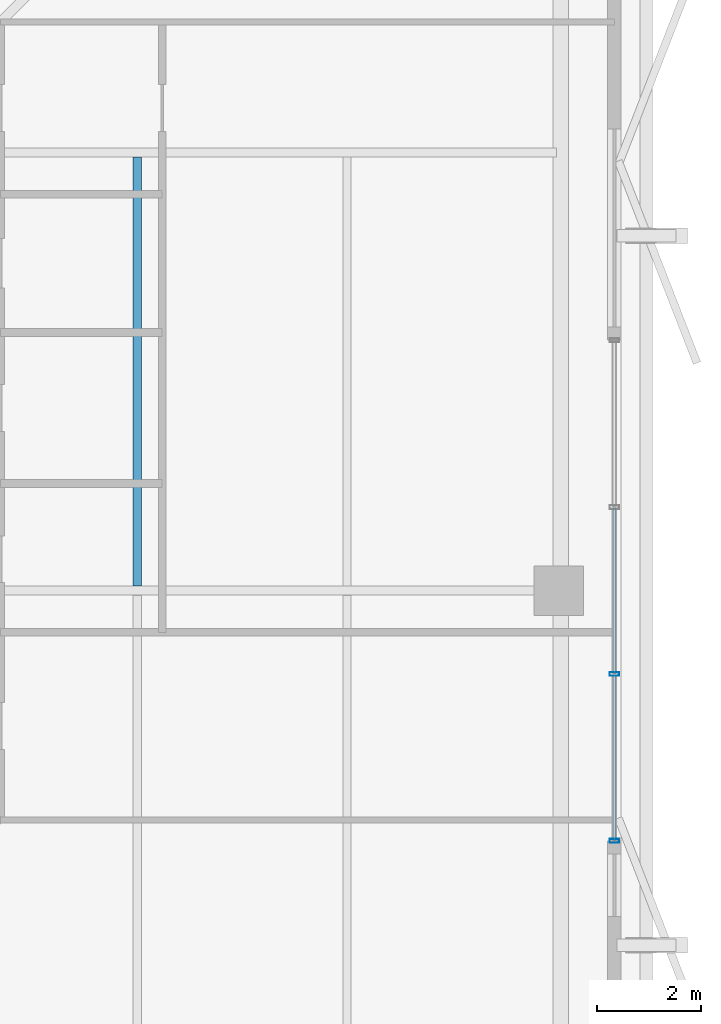
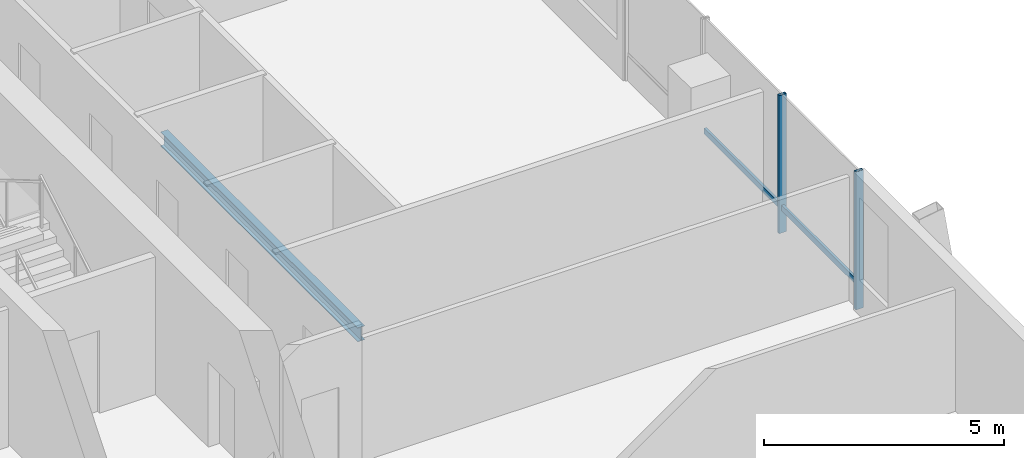
# One storey, part 11 of 26: 4 members, 1 beam, 1 element without a shape of its own.
"""IFC4 building model written with IfcOpenShell, lengths in metres."""

from ifc_helpers import new_model, si_unit, direction, frame, origin, origin_2d, place, context, subcontext, project, spatial, hollow_rectangle, i_section, extrude, material, layer, layer_set, material_profile, profile_set, type_object, element, aggregate, save


model = new_model("IFC4")

# Units and contexts
model_context = context("Model", 3, precision=1e-05, world=origin(), true_north=direction((0.0, 1.0)))
body_context = subcontext(model_context, "Body", "Model", "MODEL_VIEW")
ifc_project = project(units=[si_unit("LENGTHUNIT", "METRE"), si_unit("AREAUNIT", "SQUARE_METRE"), si_unit("VOLUMEUNIT", "CUBIC_METRE"), si_unit("PLANEANGLEUNIT", "RADIAN"), si_unit("MASSUNIT", "GRAM", prefix="KILO")], contexts=[model_context])

# Site, building, storey
site_placement = place(None, origin())
site = spatial("IfcSite", under=ifc_project, at=site_placement, CompositionType="ELEMENT")
building_placement = place(site_placement, origin())
building = spatial("IfcBuilding", under=site, at=building_placement, Name="Belovzor Exchange Tower", CompositionType="ELEMENT")
storey_placement = place(building_placement, frame((0.0, 0.0, 295.5)))
storey = spatial("IfcBuildingStorey", under=building, at=storey_placement, Name="L73", CompositionType="ELEMENT", Elevation=295.5)

# Beam
ifc_material_1 = material(Name="Steel S355", Category="steel")
ifc_material_profile_1 = material_profile(ifc_material_1, i_section(OverallWidth=0.169921875, OverallDepth=0.360107421875, WebThickness=0.008056640625, FlangeThickness=0.0126953125, at=origin_2d()))
ifc_profile_set_1 = profile_set([ifc_material_profile_1], Name="Steel S355")
beam_type = type_object("IfcBeamType", Name="Secondary Infill Floor Joist IPE 360", PredefinedType="BEAM", material=ifc_profile_set_1)
beam_placement = place(storey_placement, frame((42.322998046875, 28.889892578125, -0.419921875), z_axis=(0.0, 1.0, 0.0), x_axis=(-1.0, 0.0, 0.0)))
element("IfcBeam", 1, at=beam_placement, inside=storey, type_object=beam_type, Name="FJ-360 Secondary Infill Floor Joist IPE 360", PredefinedType="BEAM", context=body_context, shape_type="SweptSolid", body=[
    extrude(i_section(OverallWidth=0.169921875, OverallDepth=0.360107421875, WebThickness=0.008056640625, FlangeThickness=0.0126953125, at=origin_2d()), origin(), (0.0, 0.0, 1.0), 8.22021484375),
])

# Curtain wall, members
ifc_material_2 = material(Name="Anodised Aluminium Framing", Category="aluminium")
ifc_layer = layer(ifc_material_2, 0.179931640625)
ifc_layer_set = layer_set([ifc_layer], Name="Anodised Aluminium Framing")
curtain_wall_type = type_object("IfcCurtainWallType", Name="Recessed Loggia Low-Iron Triple-Glazed Curtain Wall", PredefinedType="NOTDEFINED", material=ifc_layer_set)
curtain_wall_placement = place(storey_placement, origin())
curtain_wall = element("IfcCurtainWall", 2, at=curtain_wall_placement, inside=storey, type_object=curtain_wall_type, Name="CW3 Recessed Loggia Low-Iron Triple-Glazed Curtain Wall L73", PredefinedType="NOTDEFINED")
ifc_material_3 = material(Name="Steel S355", Category="steel")
ifc_material_profile_2 = material_profile(ifc_material_3, hollow_rectangle(XDim=0.074951171875, YDim=0.179931640625, WallThickness=0.0048828125, at=origin_2d()))
ifc_profile_set_2 = profile_set([ifc_material_profile_2], Name="Steel S355")
member_type_1 = type_object("IfcMemberType", Name="Thermally Broken Curtain Wall Mullion 180x75", PredefinedType="MULLION", material=ifc_profile_set_2)
member_1_placement = place(storey_placement, frame((51.469970703125, 27.199951171875, 0.0), z_axis=(0.0, 0.0, 1.0), x_axis=(0.0, -1.0, 0.0)))
member_1 = element("IfcMember", 3, at=member_1_placement, type_object=member_type_1, Name="CW-M180 Curtain Wall Mullion 3", PredefinedType="MULLION", context=body_context, shape_type="SweptSolid", body=[
    extrude(hollow_rectangle(XDim=0.074951171875, YDim=0.179931640625, WallThickness=0.0048828125, at=origin_2d()), origin(), (0.0, 0.0, 1.0), 3.510009765625),
])
member_2_placement = place(storey_placement, frame((51.469970703125, 24.0, 0.0), z_axis=(0.0, 0.0, 1.0), x_axis=(0.0, -1.0, 0.0)))
member_2 = element("IfcMember", 4, at=member_2_placement, type_object=member_type_1, Name="CW-M180 Curtain Wall Mullion 4", PredefinedType="MULLION", context=body_context, shape_type="SweptSolid", body=[
    extrude(hollow_rectangle(XDim=0.074951171875, YDim=0.179931640625, WallThickness=0.0048828125, at=origin_2d()), origin(), (0.0, 0.0, 1.0), 3.510009765625),
])
ifc_material_4 = material(Name="Steel S355", Category="steel")
ifc_material_profile_3 = material_profile(ifc_material_4, hollow_rectangle(XDim=0.06005859375, YDim=0.14990234375, WallThickness=0.00390625, at=origin_2d()))
ifc_profile_set_3 = profile_set([ifc_material_profile_3], Name="Steel S355")
member_type_2 = type_object("IfcMemberType", Name="Thermally Broken Curtain Wall Transom 150x60", PredefinedType="USERDEFINED", material=ifc_profile_set_3)
member_3_placement = place(storey_placement, frame((51.469970703125, 30.39208984375, 0.632080078125), z_axis=(0.0, -1.0, 0.0), x_axis=(1.0, 0.0, 0.0)))
member_3 = element("IfcMember", 5, at=member_3_placement, type_object=member_type_2, Name="CW-T150 Curtain Wall Transom 2", ObjectType="TRANSOM", PredefinedType="USERDEFINED", context=body_context, shape_type="SweptSolid", body=[
    extrude(hollow_rectangle(XDim=0.06005859375, YDim=0.14990234375, WallThickness=0.00390625, at=origin_2d()), origin(), (0.0, 0.0, 1.0), 3.18408203125),
])
member_4_placement = place(storey_placement, frame((51.469970703125, 27.19189453125, 0.632080078125), z_axis=(0.0, -1.0, 0.0), x_axis=(1.0, 0.0, 0.0)))
member_4 = element("IfcMember", 6, at=member_4_placement, type_object=member_type_2, Name="CW-T150 Curtain Wall Transom 3", ObjectType="TRANSOM", PredefinedType="USERDEFINED", context=body_context, shape_type="SweptSolid", body=[
    extrude(hollow_rectangle(XDim=0.06005859375, YDim=0.14990234375, WallThickness=0.00390625, at=origin_2d()), origin(), (0.0, 0.0, 1.0), 3.183837890625),
])
aggregate(curtain_wall, [member_1, member_2, member_3, member_4])

save(model, "model.ifc")
